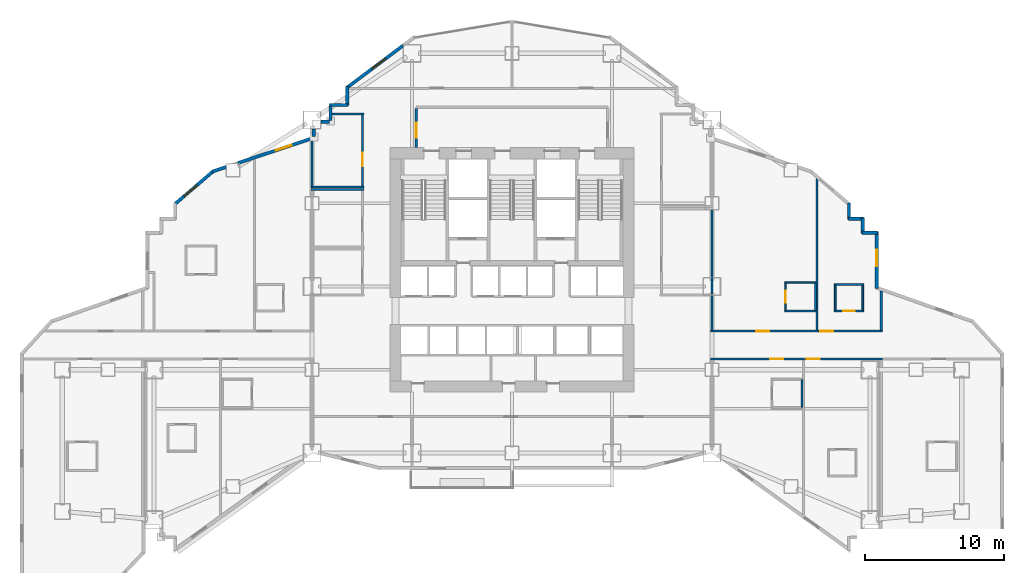
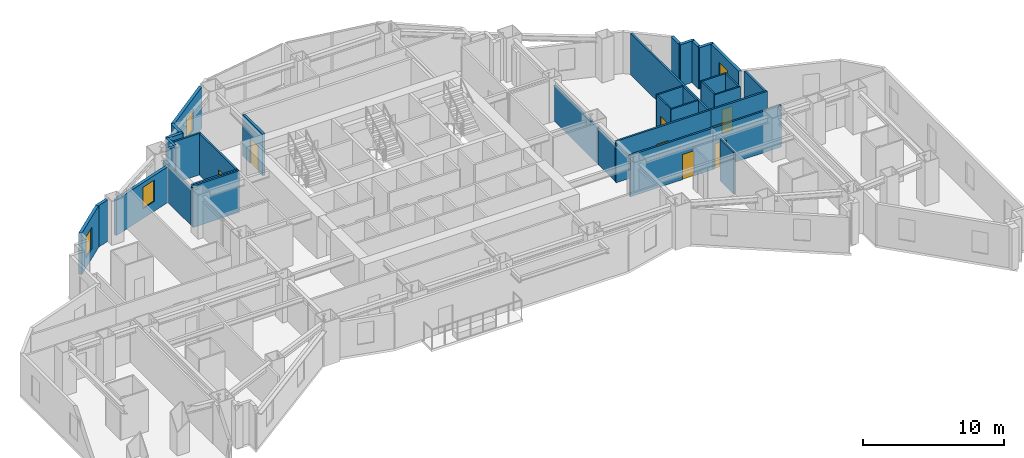
# One storey, part 10 of 17: 37 walls, 8 doors, 4 windows, 12 openings.
"""IFC4 building model written with IfcOpenShell, lengths in metres."""

from ifc_helpers import new_model, si_unit, direction, frame, frame_2d, origin, place, context, subcontext, project, spatial, rectangle, extrude, material, layer, layer_set, type_object, element, fill, save


model = new_model("IFC4")

# Units and contexts
model_context = context("Model", 3, precision=1e-05, world=origin(), true_north=direction((0.0, 1.0)))
body_context = subcontext(model_context, "Body", "Model", "MODEL_VIEW")
ifc_project = project(units=[si_unit("LENGTHUNIT", "METRE"), si_unit("AREAUNIT", "SQUARE_METRE"), si_unit("VOLUMEUNIT", "CUBIC_METRE"), si_unit("PLANEANGLEUNIT", "RADIAN"), si_unit("MASSUNIT", "GRAM", prefix="KILO")], contexts=[model_context])

# Site, building, storey
site_placement = place(None, origin())
site = spatial("IfcSite", under=ifc_project, at=site_placement, CompositionType="ELEMENT")
building_placement = place(site_placement, origin())
building = spatial("IfcBuilding", under=site, at=building_placement, Name="Haolan Belvedere Tower", CompositionType="ELEMENT")
storey_placement = place(building_placement, frame((0.0, 0.0, 31.60009765625)))
storey = spatial("IfcBuildingStorey", under=building, at=storey_placement, Name="L07", CompositionType="ELEMENT", Elevation=31.60009765625)

# Wall, opening, window
ifc_material_1 = material(Name="Precast concrete C40/50", Category="concrete")
ifc_layer_1 = layer(ifc_material_1, 0.239990234375, Name="Precast concrete C40/50")
ifc_layer_set_1 = layer_set([ifc_layer_1], Name="Precast concrete C40/50")
wall_type_1 = type_object("IfcWallType", Name="WL-EXT-240", PredefinedType="SOLIDWALL", material=ifc_layer_set_1)
wall_1_placement = place(storey_placement, frame((64.679931640625, 33.4599609375, 0.0), z_axis=(0.0, 0.0, 1.0), x_axis=(0.0, 1.0, 0.0)))
wall_1 = element("IfcWall", 1, at=wall_1_placement, inside=storey, type_object=wall_type_1, Name="L07 pale-metal exterior spandrel wall 29.1", PredefinedType="SOLIDWALL", context=body_context, shape_type="SweptSolid", body=[
    extrude(rectangle(XDim=4.074951171875, YDim=0.239990234375, at=frame_2d((2.03759765625, 0.0))), origin(), (0.0, 0.0, 1.0), 3.599853515625),
])
opening_1_placement = place(wall_1_placement, frame((1.60009765625, 0.0, 0.85009765625)))
opening_1 = element("IfcOpeningElement", 2, at=opening_1_placement, cuts=wall_1, Name="Opening W-01", PredefinedType="OPENING", context=body_context, shape_type="SweptSolid", body=[
    extrude(rectangle(XDim=1.199951171875, YDim=1.85009765625, at=frame_2d((0.60009765625, 0.925048828125))), frame((0.0, 0.1298828125, 0.0), z_axis=(0.0, -1.0, 0.0), x_axis=(1.0, 0.0, 0.0)), (0.0, 0.0, 1.0), 0.260009765625),
])
ifc_material_2 = material(Name="Anodised aluminium 6063-T6 and Low-E glass", Category="aluminium")
window_type = type_object("IfcWindowType", Name="WN-DECO-Z1", PartitioningType="SINGLE_PANEL", PredefinedType="WINDOW", material=ifc_material_2)
window_1_placement = place(opening_1_placement, origin())
window_1 = element("IfcWindow", 3, at=window_1_placement, inside=storey, type_object=window_type, Name="L07 Art Deco chevron window 1", OverallHeight=1.85009765625, OverallWidth=1.199951171875, PartitioningType="SINGLE_PANEL", PredefinedType="WINDOW", context=body_context, shape_type="SweptSolid", body=[
    extrude(rectangle(XDim=1.199951171875, YDim=1.85009765625, at=frame_2d((0.60009765625, 0.925048828125))), frame((0.0, 0.030029296875, 0.0), z_axis=(0.0, -1.0, 0.0), x_axis=(1.0, 0.0, 0.0)), (0.0, 0.0, 1.0), 0.06005859375),
])
fill(opening_1, window_1)

# Walls
wall_2_placement = place(storey_placement, frame((64.735107421875, 37.47998046875, 0.0), z_axis=(0.0, 0.0, 1.0), x_axis=(-1.0, 0.0, 0.0)))
element("IfcWall", 4, at=wall_2_placement, inside=storey, type_object=wall_type_1, Name="L07 pale-metal exterior spandrel wall 30.1", PredefinedType="SOLIDWALL", context=body_context, shape_type="SweptSolid", body=[
    extrude(rectangle(XDim=1.110107421875, YDim=0.239990234375, at=frame_2d((0.55517578125, 0.0))), origin(), (0.0, 0.0, 1.0), 3.599853515625),
])
wall_3_placement = place(storey_placement, frame((63.679931640625, 37.425048828125, 0.0), z_axis=(0.0, 0.0, 1.0), x_axis=(0.0, 1.0, 0.0)))
element("IfcWall", 5, at=wall_3_placement, inside=storey, type_object=wall_type_1, Name="L07 pale-metal exterior spandrel wall 31.1", PredefinedType="SOLIDWALL", context=body_context, shape_type="SweptSolid", body=[
    extrude(rectangle(XDim=1.10986328125, YDim=0.239990234375, at=frame_2d((0.554931640625, 0.0))), origin(), (0.0, 0.0, 1.0), 3.599853515625),
])
wall_4_placement = place(storey_placement, frame((63.735107421875, 38.47998046875, 0.0), z_axis=(0.0, 0.0, 1.0), x_axis=(-1.0, 0.0, 0.0)))
element("IfcWall", 6, at=wall_4_placement, inside=storey, type_object=wall_type_1, Name="L07 pale-metal exterior spandrel wall 32.1", PredefinedType="SOLIDWALL", context=body_context, shape_type="SweptSolid", body=[
    extrude(rectangle(XDim=1.110107421875, YDim=0.239990234375, at=frame_2d((0.55517578125, 0.0))), origin(), (0.0, 0.0, 1.0), 3.599853515625),
])
wall_5_placement = place(storey_placement, frame((62.679931640625, 38.425048828125, 0.0), z_axis=(0.0, 0.0, 1.0), x_axis=(0.0, 1.0, 0.0)))
element("IfcWall", 7, at=wall_5_placement, inside=storey, type_object=wall_type_1, Name="L07 pale-metal exterior spandrel wall 33.1", PredefinedType="SOLIDWALL", context=body_context, shape_type="SweptSolid", body=[
    extrude(rectangle(XDim=1.1748046875, YDim=0.239990234375, at=frame_2d((0.58740234375, 0.0))), origin(), (0.0, 0.0, 1.0), 3.599853515625),
])

# Wall, opening, window
wall_6_placement = place(storey_placement, frame((30.55810546875, 50.968505859375, 0.0), z_axis=(0.0, 0.0, 1.0), x_axis=(-0.8, -0.6, 0.0)))
wall_6 = element("IfcWall", 8, at=wall_6_placement, inside=storey, type_object=wall_type_1, Name="L07 pale-metal exterior spandrel wall 44.2", PredefinedType="SOLIDWALL", context=body_context, shape_type="SweptSolid", body=[
    extrude(rectangle(XDim=5.1025390625, YDim=0.239990234375, at=frame_2d((2.55126953125, 0.0))), origin(), (0.0, 0.0, 1.0), 3.599853515625),
])
opening_2_placement = place(wall_6_placement, frame((1.60009765625, 0.0, 0.85009765625)))
opening_2 = element("IfcOpeningElement", 9, at=opening_2_placement, cuts=wall_6, Name="Opening W-01", PredefinedType="OPENING", context=body_context, shape_type="SweptSolid", body=[
    extrude(rectangle(XDim=1.199951171875, YDim=1.85009765625, at=frame_2d((0.60009765625, 0.925048828125))), frame((0.0, 0.1298828125, 0.0), z_axis=(0.0, -1.0, 0.0), x_axis=(1.0, 0.0, 0.0)), (0.0, 0.0, 1.0), 0.260009765625),
])
window_2_placement = place(opening_2_placement, origin())
window_2 = element("IfcWindow", 10, at=window_2_placement, inside=storey, type_object=window_type, Name="L07 Art Deco chevron window 1", OverallHeight=1.85009765625, OverallWidth=1.199951171875, PartitioningType="SINGLE_PANEL", PredefinedType="WINDOW", context=body_context, shape_type="SweptSolid", body=[
    extrude(rectangle(XDim=1.199951171875, YDim=1.85009765625, at=frame_2d((0.60009765625, 0.925048828125))), frame((0.0, 0.030029296875, 0.0), z_axis=(0.0, -1.0, 0.0), x_axis=(1.0, 0.0, 0.0)), (0.0, 0.0, 1.0), 0.06005859375),
])
fill(opening_2, window_2)

# Walls
wall_7_placement = place(storey_placement, frame((26.52001953125, 47.9951171875, 0.0), z_axis=(0.0, 0.0, 1.0), x_axis=(0.0, -1.0, 0.0)))
element("IfcWall", 11, at=wall_7_placement, inside=storey, type_object=wall_type_1, Name="L07 pale-metal exterior spandrel wall 45.1", PredefinedType="SOLIDWALL", context=body_context, shape_type="SweptSolid", body=[
    extrude(rectangle(XDim=1.3701171875, YDim=0.239990234375, at=frame_2d((0.68505859375, 0.0))), origin(), (0.0, 0.0, 1.0), 3.599853515625),
])
wall_8_placement = place(storey_placement, frame((26.574951171875, 46.679931640625, 0.0), z_axis=(0.0, 0.0, 1.0), x_axis=(-1.0, 0.0, 0.0)))
element("IfcWall", 12, at=wall_8_placement, inside=storey, type_object=wall_type_1, Name="L07 pale-metal exterior spandrel wall 46.1", PredefinedType="SOLIDWALL", context=body_context, shape_type="SweptSolid", body=[
    extrude(rectangle(XDim=1.31005859375, YDim=0.239990234375, at=frame_2d((0.655029296875, 0.0))), origin(), (0.0, 0.0, 1.0), 3.599853515625),
])
wall_9_placement = place(storey_placement, frame((25.320068359375, 46.614990234375, 0.0), z_axis=(0.0, 0.0, 1.0), x_axis=(0.0, -1.0, 0.0)))
element("IfcWall", 13, at=wall_9_placement, inside=storey, type_object=wall_type_1, Name="L07 pale-metal exterior spandrel wall 47.1", PredefinedType="SOLIDWALL", context=body_context, shape_type="SweptSolid", body=[
    extrude(rectangle(XDim=1.050048828125, YDim=0.239990234375, at=frame_2d((0.52490234375, 0.0))), origin(), (0.0, 0.0, 1.0), 3.599853515625),
])
wall_10_placement = place(storey_placement, frame((25.235107421875, 45.47998046875, 0.0), z_axis=(0.0, 0.0, 1.0), x_axis=(-1.0, 0.0, 0.0)))
element("IfcWall", 14, at=wall_10_placement, inside=storey, type_object=wall_type_1, Name="L07 pale-metal exterior spandrel wall 48.1", PredefinedType="SOLIDWALL", context=body_context, shape_type="SweptSolid", body=[
    extrude(rectangle(XDim=0.593017578125, YDim=0.239990234375, at=frame_2d((0.29638671875, 0.0))), origin(), (0.0, 0.0, 1.0), 3.599853515625),
])
wall_11_placement = place(storey_placement, frame((24.1201171875, 44.9580078125, 0.0), z_axis=(0.0, 0.0, 1.0), x_axis=(0.0, -1.0, 0.0)))
element("IfcWall", 15, at=wall_11_placement, inside=storey, type_object=wall_type_1, Name="L07 pale-metal exterior spandrel wall 49.1", PredefinedType="SOLIDWALL", context=body_context, shape_type="SweptSolid", body=[
    extrude(rectangle(XDim=0.5595703125, YDim=0.239990234375, at=frame_2d((0.27978515625, 0.0))), origin(), (0.0, 0.0, 1.0), 3.096923828125),
])

# Wall, opening, window
wall_12_placement = place(storey_placement, frame((24.039306640625, 44.28662109375, 0.0), z_axis=(0.0, 0.0, 1.0), x_axis=(-0.948678995954, -0.316240672014, 0.0)))
wall_12 = element("IfcWall", 16, at=wall_12_placement, inside=storey, type_object=wall_type_1, Name="L07 pale-metal exterior spandrel wall 50.1", PredefinedType="SOLIDWALL", context=body_context, shape_type="SweptSolid", body=[
    extrude(rectangle(XDim=5.675048828125, YDim=0.239990234375, at=frame_2d((2.83740234375, 0.0))), origin(), (0.0, 0.0, 1.0), 3.096923828125),
])
opening_3_placement = place(wall_12_placement, frame((1.60009765625, 0.0, 0.85009765625)))
opening_3 = element("IfcOpeningElement", 17, at=opening_3_placement, cuts=wall_12, Name="Opening W-01", PredefinedType="OPENING", context=body_context, shape_type="SweptSolid", body=[
    extrude(rectangle(XDim=1.199951171875, YDim=1.85009765625, at=frame_2d((0.60009765625, 0.925048828125))), frame((0.0, 0.1298828125, 0.0), z_axis=(0.0, -1.0, 0.0), x_axis=(1.0, 0.0, 0.0)), (0.0, 0.0, 1.0), 0.260009765625),
])
window_3_placement = place(opening_3_placement, origin())
window_3 = element("IfcWindow", 18, at=window_3_placement, inside=storey, type_object=window_type, Name="L07 Art Deco chevron window 1", OverallHeight=1.85009765625, OverallWidth=1.199951171875, PartitioningType="SINGLE_PANEL", PredefinedType="WINDOW", context=body_context, shape_type="SweptSolid", body=[
    extrude(rectangle(XDim=1.199951171875, YDim=1.85009765625, at=frame_2d((0.60009765625, 0.925048828125))), frame((0.0, 0.030029296875, 0.0), z_axis=(0.0, -1.0, 0.0), x_axis=(1.0, 0.0, 0.0)), (0.0, 0.0, 1.0), 0.06005859375),
])
fill(opening_3, window_3)

# Wall
wall_13_placement = place(storey_placement, frame((17.80810546875, 42.20947265625, 0.0), z_axis=(0.0, 0.0, 1.0), x_axis=(-0.948706457285, -0.316158279832, 0.0)))
element("IfcWall", 19, at=wall_13_placement, inside=storey, type_object=wall_type_1, Name="L07 pale-metal exterior spandrel wall 50.2", PredefinedType="SOLIDWALL", context=body_context, shape_type="SweptSolid", body=[
    extrude(rectangle(XDim=1.053955078125, YDim=0.239990234375, at=frame_2d((0.52685546875, 0.0))), origin(), (0.0, 0.0, 1.0), 3.599853515625),
])

# Wall, opening, window
wall_14_placement = place(storey_placement, frame((16.902099609375, 41.929443359375, 0.0), z_axis=(0.0, 0.0, 1.0), x_axis=(-0.759275136126, -0.650769750112, 0.0)))
wall_14 = element("IfcWall", 20, at=wall_14_placement, inside=storey, type_object=wall_type_1, Name="L07 pale-metal exterior spandrel wall 51.1", PredefinedType="SOLIDWALL", context=body_context, shape_type="SweptSolid", body=[
    extrude(rectangle(XDim=3.71923828125, YDim=0.239990234375, at=frame_2d((1.859619140625, 0.0))), origin(), (0.0, 0.0, 1.0), 3.599853515625),
])
opening_4_placement = place(wall_14_placement, frame((1.60009765625, 0.0, 0.85009765625)))
opening_4 = element("IfcOpeningElement", 21, at=opening_4_placement, cuts=wall_14, Name="Opening W-01", PredefinedType="OPENING", context=body_context, shape_type="SweptSolid", body=[
    extrude(rectangle(XDim=1.199951171875, YDim=1.85009765625, at=frame_2d((0.60009765625, 0.925048828125))), frame((0.0, 0.1298828125, 0.0), z_axis=(0.0, -1.0, 0.0), x_axis=(1.0, 0.0, 0.0)), (0.0, 0.0, 1.0), 0.260009765625),
])
window_4_placement = place(opening_4_placement, origin())
window_4 = element("IfcWindow", 22, at=window_4_placement, inside=storey, type_object=window_type, Name="L07 Art Deco chevron window 1", OverallHeight=1.85009765625, OverallWidth=1.199951171875, PartitioningType="SINGLE_PANEL", PredefinedType="WINDOW", context=body_context, shape_type="SweptSolid", body=[
    extrude(rectangle(XDim=1.199951171875, YDim=1.85009765625, at=frame_2d((0.60009765625, 0.925048828125))), frame((0.0, 0.030029296875, 0.0), z_axis=(0.0, -1.0, 0.0), x_axis=(1.0, 0.0, 0.0)), (0.0, 0.0, 1.0), 0.06005859375),
])
fill(opening_4, window_4)

# Wall, opening, door
ifc_material_3 = material(Name="Concrete C40/50", Category="concrete")
ifc_layer_2 = layer(ifc_material_3, 0.199951171875, Name="Concrete C40/50")
ifc_layer_set_2 = layer_set([ifc_layer_2], Name="Concrete C40/50")
wall_type_2 = type_object("IfcWallType", Name="WL-FIRE-200", PredefinedType="SOLIDWALL", material=ifc_layer_set_2)
wall_15_placement = place(storey_placement, frame((31.5, 43.60009765625, 0.0), z_axis=(0.0, 0.0, 1.0), x_axis=(0.0, 1.0, 0.0)))
wall_15 = element("IfcWall", 23, at=wall_15_placement, inside=storey, type_object=wall_type_2, Name="L07 interior partition IW-L07-FFL-W", PredefinedType="SOLIDWALL", context=body_context, shape_type="SweptSolid", body=[
    extrude(rectangle(XDim=2.8349609375, YDim=0.199951171875, at=frame_2d((1.41748046875, 0.0))), origin(), (0.0, 0.0, 1.0), 3.599853515625),
])
opening_5_placement = place(wall_15_placement, frame((1.800048828125, 0.0, 0.0), z_axis=(0.0, 0.0, 1.0), x_axis=(-1.0, 0.0, 0.0)))
opening_5 = element("IfcOpeningElement", 24, at=opening_5_placement, cuts=wall_15, Name="Opening FD-03", PredefinedType="OPENING", context=body_context, shape_type="SweptSolid", body=[
    extrude(rectangle(XDim=1.10009765625, YDim=2.14990234375, at=frame_2d((0.550048828125, 1.074951171875))), frame((0.0, 0.10986328125, 0.0), z_axis=(0.0, -1.0, 0.0), x_axis=(1.0, 0.0, 0.0)), (0.0, 0.0, 1.0), 0.219970703125),
])
ifc_material_4 = material(Name="Galvanised fire-rated steel", Category="steel")
door_type_1 = type_object("IfcDoorType", Name="DR-FD90-1100", OperationType="NOTDEFINED", PredefinedType="DOOR", material=ifc_material_4)
door_1_placement = place(opening_5_placement, origin())
door_1 = element("IfcDoor", 25, at=door_1_placement, inside=storey, type_object=door_type_1, Name="L07 door ID-L07-FFL-DW", OperationType="SINGLE_SWING_LEFT", OverallHeight=2.14990234375, OverallWidth=1.10009765625, PredefinedType="DOOR", context=body_context, shape_type="SweptSolid", body=[
    extrude(rectangle(XDim=1.10009765625, YDim=2.14990234375, at=frame_2d((0.550048828125, 1.074951171875))), frame((0.0, 0.02490234375, 0.0), z_axis=(0.0, -1.0, 0.0), x_axis=(1.0, 0.0, 0.0)), (0.0, 0.0, 1.0), 0.050048828125),
])
fill(opening_5, door_1)

# Walls
ifc_material_5 = material(Name="Double gypsum acoustic stud partition", Category="masonry")
ifc_layer_3 = layer(ifc_material_5, 0.14990234375, Name="Double gypsum acoustic stud partition")
ifc_layer_set_3 = layer_set([ifc_layer_3], Name="Double gypsum acoustic stud partition")
wall_type_3 = type_object("IfcWallType", Name="WL-PART-150", PredefinedType="PARTITIONING", material=ifc_layer_set_3)
wall_16_placement = place(storey_placement, frame((23.919921875, 40.60009765625, 0.0), z_axis=(0.0, 0.0, 1.0), x_axis=(1.0, 0.0, 0.0)))
element("IfcWall", 26, at=wall_16_placement, inside=storey, type_object=wall_type_3, Name="L07 interior partition IW-L07-PNT-N", PredefinedType="PARTITIONING", context=body_context, shape_type="SweptSolid", body=[
    extrude(rectangle(XDim=3.800048828125, YDim=0.14990234375, at=frame_2d((1.89990234375, 0.0))), origin(), (0.0, 0.0, 1.0), 3.599853515625),
])
wall_17_placement = place(storey_placement, frame((25.425048828125, 46.02001953125, 0.0), z_axis=(0.0, 0.0, 1.0), x_axis=(1.0, 0.0, 0.0)))
element("IfcWall", 27, at=wall_17_placement, inside=storey, type_object=wall_type_3, Name="L07 interior partition IW-L07-STY-N", PredefinedType="PARTITIONING", context=body_context, shape_type="SweptSolid", body=[
    extrude(rectangle(XDim=2.294921875, YDim=0.14990234375, at=frame_2d((1.1474609375, 0.0))), origin(), (0.0, 0.0, 1.0), 3.599853515625),
])
wall_18_placement = place(storey_placement, frame((23.919921875, 40.760009765625, 0.0), z_axis=(0.0, 0.0, 1.0), x_axis=(1.0, 0.0, 0.0)))
element("IfcWall", 28, at=wall_18_placement, inside=storey, type_object=wall_type_3, Name="L07 interior partition IW-L07-STY-S", PredefinedType="PARTITIONING", context=body_context, shape_type="SweptSolid", body=[
    extrude(rectangle(XDim=3.800048828125, YDim=0.14990234375, at=frame_2d((1.89990234375, 0.0))), origin(), (0.0, 0.0, 1.0), 3.599853515625),
])
wall_19_placement = place(storey_placement, frame((24.0, 40.820068359375, 0.0), z_axis=(0.0, 0.0, 1.0), x_axis=(0.0, 1.0, 0.0)))
element("IfcWall", 29, at=wall_19_placement, inside=storey, type_object=wall_type_3, Name="L07 interior partition IW-L07-STY-W", PredefinedType="PARTITIONING", context=body_context, shape_type="SweptSolid", body=[
    extrude(rectangle(XDim=3.3427734375, YDim=0.14990234375, at=frame_2d((1.67138671875, 0.0))), origin(), (0.0, 0.0, 1.0), 3.096923828125),
])

# Wall, opening, door
wall_20_placement = place(storey_placement, frame((27.639892578125, 40.820068359375, 0.0), z_axis=(0.0, 0.0, 1.0), x_axis=(0.0, 1.0, 0.0)))
wall_20 = element("IfcWall", 30, at=wall_20_placement, inside=storey, type_object=wall_type_3, Name="L07 interior partition IW-L07-STY-E", PredefinedType="PARTITIONING", context=body_context, shape_type="SweptSolid", body=[
    extrude(rectangle(XDim=5.139892578125, YDim=0.14990234375, at=frame_2d((2.56982421875, 0.0))), origin(), (0.0, 0.0, 1.0), 3.599853515625),
])
opening_6_placement = place(wall_20_placement, frame((2.409912109375, 0.0, 0.0), z_axis=(0.0, 0.0, 1.0), x_axis=(-1.0, 0.0, 0.0)))
opening_6 = element("IfcOpeningElement", 31, at=opening_6_placement, cuts=wall_20, Name="Opening ID-03", PredefinedType="OPENING", context=body_context, shape_type="SweptSolid", body=[
    extrude(rectangle(XDim=0.949951171875, YDim=2.1201171875, at=frame_2d((0.47509765625, 1.06005859375))), frame((0.0, 0.0849609375, 0.0), z_axis=(0.0, -1.0, 0.0), x_axis=(1.0, 0.0, 0.0)), (0.0, 0.0, 1.0), 0.169921875),
])
ifc_material_6 = material(Name="Painted solid-core timber", Category="wood")
door_type_2 = type_object("IfcDoorType", Name="DR-INT-950", OperationType="NOTDEFINED", PredefinedType="DOOR", material=ifc_material_6)
door_2_placement = place(opening_6_placement, origin())
door_2 = element("IfcDoor", 32, at=door_2_placement, inside=storey, type_object=door_type_2, Name="L07 door ID-L07-STY", OperationType="SINGLE_SWING_LEFT", OverallHeight=2.1201171875, OverallWidth=0.949951171875, PredefinedType="DOOR", context=body_context, shape_type="SweptSolid", body=[
    extrude(rectangle(XDim=0.949951171875, YDim=2.1201171875, at=frame_2d((0.47509765625, 1.06005859375))), frame((0.0, 0.02490234375, 0.0), z_axis=(0.0, -1.0, 0.0), x_axis=(1.0, 0.0, 0.0)), (0.0, 0.0, 1.0), 0.050048828125),
])
fill(opening_6, door_2)

# Wall
wall_21_placement = place(storey_placement, frame((52.800048828125, 33.06005859375, 0.0), z_axis=(0.0, 0.0, 1.0), x_axis=(0.0, 1.0, 0.0)))
element("IfcWall", 33, at=wall_21_placement, inside=storey, type_object=wall_type_3, Name="L07 interior partition IW-L07-HSK-E", PredefinedType="PARTITIONING", context=body_context, shape_type="SweptSolid", body=[
    extrude(rectangle(XDim=6.079833984375, YDim=0.14990234375, at=frame_2d((3.0400390625, 0.0))), origin(), (0.0, 0.0, 1.0), 3.096923828125),
])

# Wall, opening, door
wall_22_placement = place(storey_placement, frame((52.699951171875, 30.3798828125, 0.0), z_axis=(0.0, 0.0, 1.0), x_axis=(1.0, 0.0, 0.0)))
wall_22 = element("IfcWall", 34, at=wall_22_placement, inside=storey, type_object=wall_type_3, Name="L07 interior partition IW-L07-T4N1-S", PredefinedType="PARTITIONING", context=body_context, shape_type="SweptSolid", body=[
    extrude(rectangle(XDim=7.760009765625, YDim=0.14990234375, at=frame_2d((3.8798828125, 0.0))), origin(), (0.0, 0.0, 1.0), 3.599853515625),
])
opening_7_placement = place(wall_22_placement, frame((3.293701171875, 0.0, 0.0)))
opening_7 = element("IfcOpeningElement", 35, at=opening_7_placement, cuts=wall_22, Name="Opening ID-01", PredefinedType="OPENING", context=body_context, shape_type="SweptSolid", body=[
    extrude(rectangle(XDim=0.949951171875, YDim=2.179931640625, at=frame_2d((0.47509765625, 1.08984375))), frame((0.0, 0.0849609375, 0.0), z_axis=(0.0, -1.0, 0.0), x_axis=(1.0, 0.0, 0.0)), (0.0, 0.0, 1.0), 0.169921875),
])
ifc_material_7 = material(Name="Acoustic walnut veneer fire-rated timber", Category="wood")
door_type_3 = type_object("IfcDoorType", Name="DR-SUITE-950", OperationType="NOTDEFINED", PredefinedType="DOOR", material=ifc_material_7)
door_3_placement = place(opening_7_placement, origin())
door_3 = element("IfcDoor", 36, at=door_3_placement, inside=storey, type_object=door_type_3, Name="L07 door ID-L07-T4N1-ENT", OperationType="SINGLE_SWING_RIGHT", OverallHeight=2.179931640625, OverallWidth=0.949951171875, PredefinedType="DOOR", context=body_context, shape_type="SweptSolid", body=[
    extrude(rectangle(XDim=0.949951171875, YDim=2.179931640625, at=frame_2d((0.47509765625, 1.08984375))), frame((0.0, 0.02490234375, 0.0), z_axis=(0.0, -1.0, 0.0), x_axis=(1.0, 0.0, 0.0)), (0.0, 0.0, 1.0), 0.050048828125),
])
fill(opening_7, door_3)

# Walls
wall_23_placement = place(storey_placement, frame((52.800048828125, 30.43994140625, 0.0), z_axis=(0.0, 0.0, 1.0), x_axis=(0.0, 1.0, 0.0)))
element("IfcWall", 37, at=wall_23_placement, inside=storey, type_object=wall_type_3, Name="L07 interior partition IW-L07-T4N1-W", PredefinedType="PARTITIONING", context=body_context, shape_type="SweptSolid", body=[
    extrude(rectangle(XDim=2.5, YDim=0.14990234375, at=frame_2d((1.25, 0.0))), origin(), (0.0, 0.0, 1.0), 3.096923828125),
])
wall_24_placement = place(storey_placement, frame((60.360107421875, 30.43994140625, 0.0), z_axis=(0.0, 0.0, 1.0), x_axis=(0.0, 1.0, 0.0)))
element("IfcWall", 38, at=wall_24_placement, inside=storey, type_object=wall_type_3, Name="L07 interior partition IW-L07-T4N1-E", PredefinedType="PARTITIONING", context=body_context, shape_type="SweptSolid", body=[
    extrude(rectangle(XDim=10.955078125, YDim=0.14990234375, at=frame_2d((5.4775390625, 0.0))), origin(), (0.0, 0.0, 1.0), 3.599853515625),
])

# Wall, opening, door
wall_25_placement = place(storey_placement, frame((60.4619140625, 30.3798828125, 0.0), z_axis=(0.0, 0.0, 1.0), x_axis=(1.0, 0.0, 0.0)))
wall_25 = element("IfcWall", 39, at=wall_25_placement, inside=storey, type_object=wall_type_3, Name="L07 interior partition IW-L07-T4N2-S", PredefinedType="PARTITIONING", context=body_context, shape_type="SweptSolid", body=[
    extrude(rectangle(XDim=4.63818359375, YDim=0.14990234375, at=frame_2d((2.319091796875, 0.0))), origin(), (0.0, 0.0, 1.0), 3.599853515625),
])
opening_8_placement = place(wall_25_placement, frame((0.139892578125, 0.0, 0.0)))
opening_8 = element("IfcOpeningElement", 40, at=opening_8_placement, cuts=wall_25, Name="Opening ID-02", PredefinedType="OPENING", context=body_context, shape_type="SweptSolid", body=[
    extrude(rectangle(XDim=0.949951171875, YDim=2.14990234375, at=frame_2d((0.47509765625, 1.074951171875))), frame((0.0, 0.0849609375, 0.0), z_axis=(0.0, -1.0, 0.0), x_axis=(1.0, 0.0, 0.0)), (0.0, 0.0, 1.0), 0.169921875),
])
ifc_material_8 = material(Name="Acoustic oak veneer fire-rated timber", Category="wood")
door_type_4 = type_object("IfcDoorType", Name="DR-GUEST-950", OperationType="NOTDEFINED", PredefinedType="DOOR", material=ifc_material_8)
door_4_placement = place(opening_8_placement, origin())
door_4 = element("IfcDoor", 41, at=door_4_placement, inside=storey, type_object=door_type_4, Name="L07 door ID-L07-T4N2-ENT", OperationType="SINGLE_SWING_LEFT", OverallHeight=2.14990234375, OverallWidth=0.949951171875, PredefinedType="DOOR", context=body_context, shape_type="SweptSolid", body=[
    extrude(rectangle(XDim=0.949951171875, YDim=2.14990234375, at=frame_2d((0.47509765625, 1.074951171875))), frame((0.0, 0.02490234375, 0.0), z_axis=(0.0, -1.0, 0.0), x_axis=(1.0, 0.0, 0.0)), (0.0, 0.0, 1.0), 0.050048828125),
])
fill(opening_8, door_4)

# Wall
wall_26_placement = place(storey_placement, frame((65.0, 30.43994140625, 0.0), z_axis=(0.0, 0.0, 1.0), x_axis=(0.0, 1.0, 0.0)))
element("IfcWall", 42, at=wall_26_placement, inside=storey, type_object=wall_type_3, Name="L07 interior partition IW-L07-T4N2-E", PredefinedType="PARTITIONING", context=body_context, shape_type="SweptSolid", body=[
    extrude(rectangle(XDim=2.851318359375, YDim=0.14990234375, at=frame_2d((1.42578125, 0.0))), origin(), (0.0, 0.0, 1.0), 3.599853515625),
])

# Wall, opening, door
wall_27_placement = place(storey_placement, frame((52.699951171875, 28.3701171875, 0.0), z_axis=(0.0, 0.0, 1.0), x_axis=(1.0, 0.0, 0.0)))
wall_27 = element("IfcWall", 43, at=wall_27_placement, inside=storey, type_object=wall_type_3, Name="L07 interior partition IW-L07-T4S1-N", PredefinedType="PARTITIONING", context=body_context, shape_type="SweptSolid", body=[
    extrude(rectangle(XDim=6.7900390625, YDim=0.14990234375, at=frame_2d((3.39501953125, 0.0))), origin(), (0.0, 0.0, 1.0), 3.599853515625),
])
opening_9_placement = place(wall_27_placement, frame((5.239990234375, 0.0, 0.0), z_axis=(0.0, 0.0, 1.0), x_axis=(-1.0, 0.0, 0.0)))
opening_9 = element("IfcOpeningElement", 44, at=opening_9_placement, cuts=wall_27, Name="Opening ID-01", PredefinedType="OPENING", context=body_context, shape_type="SweptSolid", body=[
    extrude(rectangle(XDim=0.949951171875, YDim=2.179931640625, at=frame_2d((0.47509765625, 1.08984375))), frame((0.0, 0.0849609375, 0.0), z_axis=(0.0, -1.0, 0.0), x_axis=(1.0, 0.0, 0.0)), (0.0, 0.0, 1.0), 0.169921875),
])
door_5_placement = place(opening_9_placement, origin())
door_5 = element("IfcDoor", 45, at=door_5_placement, inside=storey, type_object=door_type_3, Name="L07 door ID-L07-T4S1-ENT", OperationType="SINGLE_SWING_RIGHT", OverallHeight=2.179931640625, OverallWidth=0.949951171875, PredefinedType="DOOR", context=body_context, shape_type="SweptSolid", body=[
    extrude(rectangle(XDim=0.949951171875, YDim=2.179931640625, at=frame_2d((0.47509765625, 1.08984375))), frame((0.0, 0.02490234375, 0.0), z_axis=(0.0, -1.0, 0.0), x_axis=(1.0, 0.0, 0.0)), (0.0, 0.0, 1.0), 0.050048828125),
])
fill(opening_9, door_5)

wall_28_placement = place(storey_placement, frame((59.491943359375, 28.3701171875, 0.0), z_axis=(0.0, 0.0, 1.0), x_axis=(1.0, 0.0, 0.0)))
wall_28 = element("IfcWall", 46, at=wall_28_placement, inside=storey, type_object=wall_type_3, Name="L07 interior partition IW-L07-T4S2-N", PredefinedType="PARTITIONING", context=body_context, shape_type="SweptSolid", body=[
    extrude(rectangle(XDim=5.608154296875, YDim=0.14990234375, at=frame_2d((2.80419921875, 0.0))), origin(), (0.0, 0.0, 1.0), 3.599853515625),
])
opening_10_placement = place(wall_28_placement, frame((1.08984375, 0.0, 0.0), z_axis=(0.0, 0.0, 1.0), x_axis=(-1.0, 0.0, 0.0)))
opening_10 = element("IfcOpeningElement", 47, at=opening_10_placement, cuts=wall_28, Name="Opening ID-01", PredefinedType="OPENING", context=body_context, shape_type="SweptSolid", body=[
    extrude(rectangle(XDim=0.949951171875, YDim=2.179931640625, at=frame_2d((0.47509765625, 1.08984375))), frame((0.0, 0.0849609375, 0.0), z_axis=(0.0, -1.0, 0.0), x_axis=(1.0, 0.0, 0.0)), (0.0, 0.0, 1.0), 0.169921875),
])
door_6_placement = place(opening_10_placement, origin())
door_6 = element("IfcDoor", 48, at=door_6_placement, inside=storey, type_object=door_type_3, Name="L07 door ID-L07-T4S2-ENT", OperationType="SINGLE_SWING_LEFT", OverallHeight=2.179931640625, OverallWidth=0.949951171875, PredefinedType="DOOR", context=body_context, shape_type="SweptSolid", body=[
    extrude(rectangle(XDim=0.949951171875, YDim=2.179931640625, at=frame_2d((0.47509765625, 1.08984375))), frame((0.0, 0.02490234375, 0.0), z_axis=(0.0, -1.0, 0.0), x_axis=(1.0, 0.0, 0.0)), (0.0, 0.0, 1.0), 0.050048828125),
])
fill(opening_10, door_6)

# Walls
ifc_material_9 = material(Name="Moisture-resistant gypsum tile partition", Category="masonry")
ifc_layer_4 = layer(ifc_material_9, 0.1201171875, Name="Moisture-resistant gypsum tile partition")
ifc_layer_set_4 = layer_set([ifc_layer_4], Name="Moisture-resistant gypsum tile partition")
wall_type_4 = type_object("IfcWallType", Name="WL-WET-120", PredefinedType="PARTITIONING", material=ifc_layer_set_4)
for number, where, z_axis, x_axis, name in (
    (49, (58.050048828125, 33.8798828125, 0.0), (0.0, 0.0, 1.0), (1.0, 0.0, 0.0), "L07 interior partition IW-L07-T4N1-BN"),
    (50, (58.050048828125, 31.830078125, 0.0), (0.0, 0.0, 1.0), (1.0, 0.0, 0.0), "L07 interior partition IW-L07-T4N1-BS"),
):
    element("IfcWall", number, at=place(storey_placement, frame(where, z_axis=z_axis, x_axis=x_axis)), inside=storey, type_object=wall_type_4, Name=name, PredefinedType="PARTITIONING", context=body_context, shape_type="SweptSolid", body=[
        extrude(rectangle(XDim=2.25, YDim=0.1201171875, at=frame_2d((1.125, 0.0))), origin(), (0.0, 0.0, 1.0), 3.599853515625),
    ])

# Wall, opening, door
wall_29_placement = place(storey_placement, frame((58.110107421875, 31.875, 0.0), z_axis=(0.0, 0.0, 1.0), x_axis=(0.0, 1.0, 0.0)))
wall_29 = element("IfcWall", 51, at=wall_29_placement, inside=storey, type_object=wall_type_4, Name="L07 interior partition IW-L07-T4N1-BW", PredefinedType="PARTITIONING", context=body_context, shape_type="SweptSolid", body=[
    extrude(rectangle(XDim=1.9599609375, YDim=0.1201171875, at=frame_2d((0.97998046875, 0.0))), origin(), (0.0, 0.0, 1.0), 3.599853515625),
])
opening_11_placement = place(wall_29_placement, frame((1.405029296875, 0.0, 0.0), z_axis=(0.0, 0.0, 1.0), x_axis=(-1.0, 0.0, 0.0)))
opening_11 = element("IfcOpeningElement", 52, at=opening_11_placement, cuts=wall_29, Name="Opening ID-05", PredefinedType="OPENING", context=body_context, shape_type="SweptSolid", body=[
    extrude(rectangle(XDim=0.85009765625, YDim=2.10009765625, at=frame_2d((0.425048828125, 1.050048828125))), frame((0.0, 0.070068359375, 0.0), z_axis=(0.0, -1.0, 0.0), x_axis=(1.0, 0.0, 0.0)), (0.0, 0.0, 1.0), 0.14013671875),
])
ifc_material_10 = material(Name="Moisture-resistant lacquered timber", Category="wood")
door_type_5 = type_object("IfcDoorType", Name="DR-BATH-850", OperationType="NOTDEFINED", PredefinedType="DOOR", material=ifc_material_10)
door_7_placement = place(opening_11_placement, origin())
door_7 = element("IfcDoor", 53, at=door_7_placement, inside=storey, type_object=door_type_5, Name="L07 door ID-L07-T4N1-BATH", OperationType="SINGLE_SWING_LEFT", OverallHeight=2.10009765625, OverallWidth=0.85009765625, PredefinedType="DOOR", context=body_context, shape_type="SweptSolid", body=[
    extrude(rectangle(XDim=0.85009765625, YDim=2.10009765625, at=frame_2d((0.425048828125, 1.050048828125))), frame((0.0, 0.02490234375, 0.0), z_axis=(0.0, -1.0, 0.0), x_axis=(1.0, 0.0, 0.0)), (0.0, 0.0, 1.0), 0.050048828125),
])
fill(opening_11, door_7)

# Walls
wall_30_placement = place(storey_placement, frame((60.260009765625, 31.875, 0.0), z_axis=(0.0, 0.0, 1.0), x_axis=(0.0, 1.0, 0.0)))
element("IfcWall", 54, at=wall_30_placement, inside=storey, type_object=wall_type_4, Name="L07 interior partition IW-L07-T4N1-BE", PredefinedType="PARTITIONING", context=body_context, shape_type="SweptSolid", body=[
    extrude(rectangle(XDim=1.9599609375, YDim=0.1201171875, at=frame_2d((0.97998046875, 0.0))), origin(), (0.0, 0.0, 1.0), 3.599853515625),
])
wall_31_placement = place(storey_placement, frame((61.6298828125, 33.75, 0.0), z_axis=(0.0, 0.0, 1.0), x_axis=(1.0, 0.0, 0.0)))
element("IfcWall", 55, at=wall_31_placement, inside=storey, type_object=wall_type_4, Name="L07 interior partition IW-L07-T4N2-BN", PredefinedType="PARTITIONING", context=body_context, shape_type="SweptSolid", body=[
    extrude(rectangle(XDim=2.10009765625, YDim=0.1201171875, at=frame_2d((1.050048828125, 0.0))), origin(), (0.0, 0.0, 1.0), 3.599853515625),
])

# Wall, opening, door
wall_32_placement = place(storey_placement, frame((61.6298828125, 31.830078125, 0.0), z_axis=(0.0, 0.0, 1.0), x_axis=(1.0, 0.0, 0.0)))
wall_32 = element("IfcWall", 56, at=wall_32_placement, inside=storey, type_object=wall_type_4, Name="L07 interior partition IW-L07-T4N2-BS", PredefinedType="PARTITIONING", context=body_context, shape_type="SweptSolid", body=[
    extrude(rectangle(XDim=2.10009765625, YDim=0.1201171875, at=frame_2d((1.050048828125, 0.0))), origin(), (0.0, 0.0, 1.0), 3.599853515625),
])
opening_12_placement = place(wall_32_placement, frame((0.625, 0.0, 0.0)))
opening_12 = element("IfcOpeningElement", 57, at=opening_12_placement, cuts=wall_32, Name="Opening ID-05", PredefinedType="OPENING", context=body_context, shape_type="SweptSolid", body=[
    extrude(rectangle(XDim=0.85009765625, YDim=2.10009765625, at=frame_2d((0.425048828125, 1.050048828125))), frame((0.0, 0.070068359375, 0.0), z_axis=(0.0, -1.0, 0.0), x_axis=(1.0, 0.0, 0.0)), (0.0, 0.0, 1.0), 0.14013671875),
])
door_8_placement = place(opening_12_placement, origin())
door_8 = element("IfcDoor", 58, at=door_8_placement, inside=storey, type_object=door_type_5, Name="L07 door ID-L07-T4N2-BATH", OperationType="SINGLE_SWING_RIGHT", OverallHeight=2.10009765625, OverallWidth=0.85009765625, PredefinedType="DOOR", context=body_context, shape_type="SweptSolid", body=[
    extrude(rectangle(XDim=0.85009765625, YDim=2.10009765625, at=frame_2d((0.425048828125, 1.050048828125))), frame((0.0, 0.02490234375, 0.0), z_axis=(0.0, -1.0, 0.0), x_axis=(1.0, 0.0, 0.0)), (0.0, 0.0, 1.0), 0.050048828125),
])
fill(opening_12, door_8)

# Walls
for number, where, z_axis, x_axis, name in (
    (59, (61.68994140625, 31.875, 0.0), (0.0, 0.0, 1.0), (0.0, 1.0, 0.0), "L07 interior partition IW-L07-T4N2-BW"),
    (60, (63.669921875, 31.875, 0.0), (0.0, 0.0, 1.0), (0.0, 1.0, 0.0), "L07 interior partition IW-L07-T4N2-BE"),
):
    element("IfcWall", number, at=place(storey_placement, frame(where, z_axis=z_axis, x_axis=x_axis)), inside=storey, type_object=wall_type_4, Name=name, PredefinedType="PARTITIONING", context=body_context, shape_type="SweptSolid", body=[
        extrude(rectangle(XDim=1.830078125, YDim=0.1201171875, at=frame_2d((0.9150390625, 0.0))), origin(), (0.0, 0.0, 1.0), 3.599853515625),
    ])
wall_33_placement = place(storey_placement, frame((59.2900390625, 24.9150390625, 0.0), z_axis=(0.0, 0.0, 1.0), x_axis=(0.0, 1.0, 0.0)))
element("IfcWall", 61, at=wall_33_placement, inside=storey, type_object=wall_type_4, Name="L07 interior partition IW-L07-T4S1-BE", PredefinedType="PARTITIONING", context=body_context, shape_type="SweptSolid", body=[
    extrude(rectangle(XDim=1.9599609375, YDim=0.1201171875, at=frame_2d((0.97998046875, 0.0))), origin(), (0.0, 0.0, 1.0), 3.599853515625),
])

save(model, "model.ifc")
